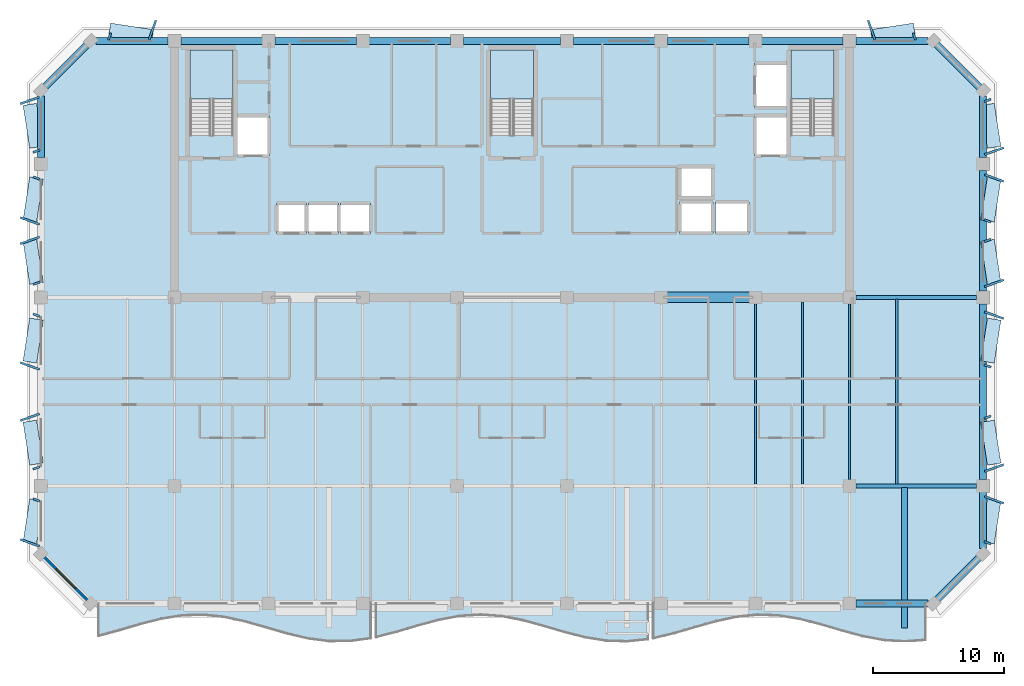
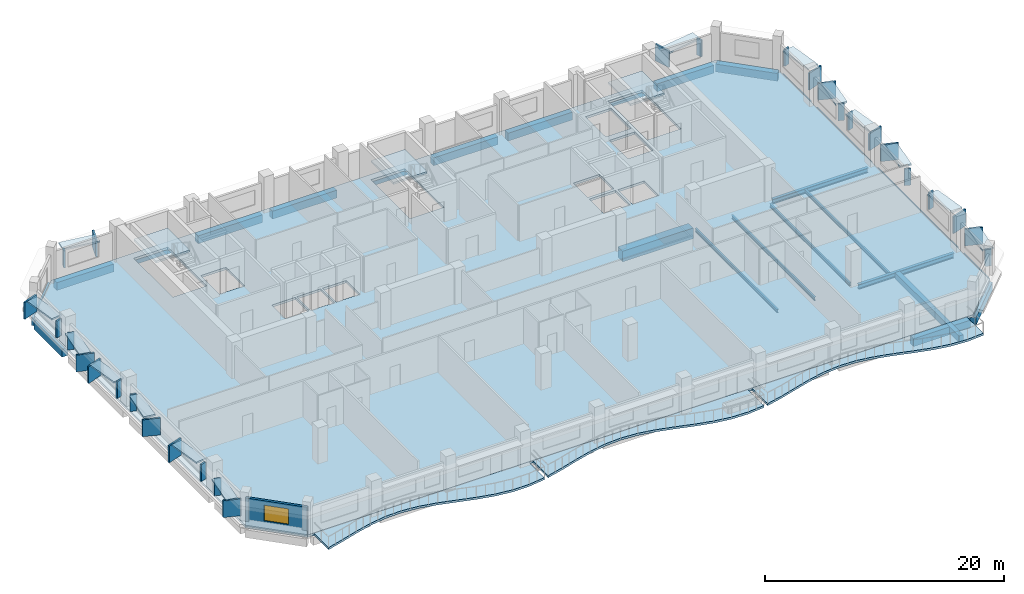
# One storey, part 2 of 10: 42 plates, 26 beams, 7 slabs, 1 wall, 1 window, 1 opening, 3 elements without a shape of their own.
"""IFC4 building model written with IfcOpenShell, lengths in metres."""

from ifc_helpers import new_model, si_unit, direction, frame, frame_2d, origin, origin_2d, place, context, subcontext, project, spatial, polyline, rectangle, i_section, outline, extrude, material, layer, layer_set, material_profile, profile_set, type_object, element, fill, aggregate, save


model = new_model("IFC4")

# Units and contexts
model_context = context("Model", 3, precision=1e-05, world=origin(), true_north=direction((0.0, 1.0)))
body_context = subcontext(model_context, "Body", "Model", "MODEL_VIEW")
ifc_project = project(units=[si_unit("LENGTHUNIT", "METRE"), si_unit("AREAUNIT", "SQUARE_METRE"), si_unit("VOLUMEUNIT", "CUBIC_METRE"), si_unit("PLANEANGLEUNIT", "RADIAN"), si_unit("MASSUNIT", "GRAM", prefix="KILO")], contexts=[model_context])

# Site, building, storey
site_placement = place(None, origin())
site = spatial("IfcSite", under=ifc_project, at=site_placement, CompositionType="ELEMENT")
building_placement = place(site_placement, origin())
building = spatial("IfcBuilding", under=site, at=building_placement, Name="Kaelvorn Grand Hotel", CompositionType="ELEMENT")
storey_placement = place(building_placement, frame((0.0, 0.0, 264.699951171875)))
storey = spatial("IfcBuildingStorey", under=building, at=storey_placement, Name="L65", CompositionType="ELEMENT", Elevation=264.699951171875)

# Beams
ifc_material_1 = material(Name="Steel S355", Category="steel")
ifc_material_profile_1 = material_profile(ifc_material_1, i_section(OverallWidth=0.300048828125, OverallDepth=0.5, WebThickness=0.014404296875, FlangeThickness=0.028076171875, FilletRadius=0.027099609375, at=origin_2d()), Name="HEB 500")
ifc_profile_set_1 = profile_set([ifc_material_profile_1], Name="Steel S355")
beam_type_1 = type_object("IfcBeamType", Name="BM-G-HEB500-S355", PredefinedType="BEAM", material=ifc_profile_set_1)
for number, where, z_axis, x_axis, name in (
    (1, (68.284912109375, 15.0, -0.489990234375), (1.0, 0.0, 0.0), (0.0, 1.0, 0.0), "L65 Primary Spine Steel Girder G-15 05"),
    (2, (68.284912109375, 29.39990234375, -0.489990234375), (1.0, 0.0, 0.0), (0.0, 1.0, 0.0), "L65 East Core Wing Steel Girder G-29E 01"),
):
    element("IfcBeam", number, at=place(storey_placement, frame(where, z_axis=z_axis, x_axis=x_axis)), inside=storey, type_object=beam_type_1, Name=name, PredefinedType="BEAM", context=body_context, shape_type="SweptSolid", body=[
        extrude(i_section(OverallWidth=0.300048828125, OverallDepth=0.5, WebThickness=0.014404296875, FlangeThickness=0.028076171875, FilletRadius=0.027099609375, at=origin_2d()), origin(), (0.0, 0.0, 1.0), 9.22998046875),
    ])
ifc_material_profile_2 = material_profile(ifc_material_1, i_section(OverallWidth=0.169921875, OverallDepth=0.360107421875, WebThickness=0.008056640625, FlangeThickness=0.0126953125, FilletRadius=0.01806640625, at=origin_2d()), Name="IPE 360")
ifc_profile_set_2 = profile_set([ifc_material_profile_2], Name="Steel S355")
beam_type_2 = type_object("IfcBeamType", Name="BM-J-IPE360-S355", PredefinedType="JOIST", material=ifc_profile_set_2)
beam_1_placement = place(storey_placement, frame((60.60009765625, 15.135009765625, -0.419921875), z_axis=(0.0, 1.0, 0.0), x_axis=(-1.0, 0.0, 0.0)))
element("IfcBeam", 3, at=beam_1_placement, inside=storey, type_object=beam_type_2, Name="L65 Composite Floor Joist JM-17", PredefinedType="JOIST", context=body_context, shape_type="SweptSolid", body=[
    extrude(i_section(OverallWidth=0.169921875, OverallDepth=0.360107421875, WebThickness=0.008056640625, FlangeThickness=0.0126953125, FilletRadius=0.01806640625, at=origin_2d()), origin(), (0.0, 0.0, 1.0), 13.780029296875),
])
beam_2_placement = place(storey_placement, frame((64.199951171875, 15.135009765625, -0.419921875), z_axis=(0.0, 1.0, 0.0), x_axis=(-1.0, 0.0, 0.0)))
element("IfcBeam", 4, at=beam_2_placement, inside=storey, type_object=beam_type_2, Name="L65 Composite Floor Joist JM-18", PredefinedType="JOIST", context=body_context, shape_type="SweptSolid", body=[
    extrude(i_section(OverallWidth=0.169921875, OverallDepth=0.360107421875, WebThickness=0.008056640625, FlangeThickness=0.0126953125, FilletRadius=0.01806640625, at=origin_2d()), origin(), (0.0, 0.0, 1.0), 13.925048828125),
])
beam_3_placement = place(storey_placement, frame((67.800048828125, 15.485107421875, -0.419921875), z_axis=(0.0, 1.0, 0.0), x_axis=(-1.0, 0.0, 0.0)))
element("IfcBeam", 5, at=beam_3_placement, inside=storey, type_object=beam_type_2, Name="L65 Composite Floor Joist JM-19", PredefinedType="JOIST", context=body_context, shape_type="SweptSolid", body=[
    extrude(i_section(OverallWidth=0.169921875, OverallDepth=0.360107421875, WebThickness=0.008056640625, FlangeThickness=0.0126953125, FilletRadius=0.01806640625, at=origin_2d()), origin(), (0.0, 0.0, 1.0), 13.429931640625),
])
beam_4_placement = place(storey_placement, frame((71.39990234375, 15.135009765625, -0.419921875), z_axis=(0.0, 1.0, 0.0), x_axis=(-1.0, 0.0, 0.0)))
element("IfcBeam", 6, at=beam_4_placement, inside=storey, type_object=beam_type_2, Name="L65 Composite Floor Joist JM-20", PredefinedType="JOIST", context=body_context, shape_type="SweptSolid", body=[
    extrude(i_section(OverallWidth=0.169921875, OverallDepth=0.360107421875, WebThickness=0.008056640625, FlangeThickness=0.0126953125, FilletRadius=0.01806640625, at=origin_2d()), origin(), (0.0, 0.0, 1.0), 14.1298828125),
])
ifc_material_2 = material(Name="Concrete C60/75", Category="concrete")
ifc_material_profile_3 = material_profile(ifc_material_2, rectangle(XDim=0.800048828125, YDim=1.10009765625, at=origin_2d()), Name="RC LINTEL 800x1100")
ifc_profile_set_3 = profile_set([ifc_material_profile_3], Name="Concrete C60/75")
beam_type_3 = type_object("IfcBeamType", Name="BM-LIN-800x1100-C60", PredefinedType="LINTEL", material=ifc_profile_set_3)
beam_5_placement = place(storey_placement, frame((53.580078125, 29.39990234375, -0.7900390625), z_axis=(1.0, 0.0, 0.0), x_axis=(0.0, 1.0, 0.0)))
element("IfcBeam", 7, at=beam_5_placement, inside=storey, type_object=beam_type_3, Name="L65 Rear-Core Coupling Lintel Beam CB1-03", PredefinedType="LINTEL", context=body_context, shape_type="SweptSolid", body=[
    extrude(rectangle(XDim=0.800048828125, YDim=1.10009765625, at=origin_2d()), origin(), (0.0, 0.0, 1.0), 6.83984375),
])
ifc_material_3 = material(Name="Concrete C40/50", Category="concrete")
ifc_material_profile_4 = material_profile(ifc_material_3, rectangle(XDim=0.449951171875, YDim=0.64990234375, at=origin_2d()), Name="RC RIB 450x650")
ifc_profile_set_4 = profile_set([ifc_material_profile_4], Name="Concrete C40/50")
beam_type_4 = type_object("IfcBeamType", Name="BM-RIB-450x650-C40", PredefinedType="SPANDREL", material=ifc_profile_set_4)
beam_6_placement = place(storey_placement, frame((72.0, 4.14990234375, -0.544921875), z_axis=(0.0, 1.0, 0.0), x_axis=(-1.0, 0.0, 0.0)))
element("IfcBeam", 8, at=beam_6_placement, inside=storey, type_object=beam_type_4, Name="L65 Cantilevered Balcony Back-Span Rib RB1-3", PredefinedType="SPANDREL", context=body_context, shape_type="SweptSolid", body=[
    extrude(rectangle(XDim=0.449951171875, YDim=0.64990234375, at=origin_2d()), origin(), (0.0, 0.0, 1.0), 10.715087890625),
])
ifc_material_4 = material(Name="Concrete C50/60", Category="concrete")
ifc_material_profile_5 = material_profile(ifc_material_4, rectangle(XDim=0.550048828125, YDim=0.800048828125, at=origin_2d()), Name="RC SPANDREL 550x800")
ifc_profile_set_5 = profile_set([ifc_material_profile_5], Name="Concrete C50/60")
beam_type_5 = type_object("IfcBeamType", Name="BM-SP-550x800-C50", PredefinedType="SPANDREL", material=ifc_profile_set_5)
for number, where, z_axis, x_axis, name in (
    (9, (68.284912109375, 6.0, -0.639892578125), (1.0, 0.0, 0.0), (0.0, 1.0, 0.0), "L65 South Perimeter Spandrel 09"),
    (10, (10.205078125, 49.0, -0.639892578125), (1.0, 0.0, 0.0), (0.0, 1.0, 0.0), "L65 North Perimeter Spandrel 01"),
):
    element("IfcBeam", number, at=place(storey_placement, frame(where, z_axis=z_axis, x_axis=x_axis)), inside=storey, type_object=beam_type_5, Name=name, PredefinedType="SPANDREL", context=body_context, shape_type="SweptSolid", body=[
        extrude(rectangle(XDim=0.550048828125, YDim=0.800048828125, at=origin_2d()), origin(), (0.0, 0.0, 1.0), 5.510009765625),
    ])
for number, where, z_axis, x_axis, name in (
    (11, (16.68505859375, 49.0, -0.639892578125), (1.0, 0.0, 0.0), (0.0, 1.0, 0.0), "L65 North Perimeter Spandrel 02"),
    (12, (23.885009765625, 49.0, -0.639892578125), (1.0, 0.0, 0.0), (0.0, 1.0, 0.0), "L65 North Perimeter Spandrel 03"),
    (13, (31.0849609375, 49.0, -0.639892578125), (1.0, 0.0, 0.0), (0.0, 1.0, 0.0), "L65 North Perimeter Spandrel 04"),
):
    element("IfcBeam", number, at=place(storey_placement, frame(where, z_axis=z_axis, x_axis=x_axis)), inside=storey, type_object=beam_type_5, Name=name, PredefinedType="SPANDREL", context=body_context, shape_type="SweptSolid", body=[
        extrude(rectangle(XDim=0.550048828125, YDim=0.800048828125, at=origin_2d()), origin(), (0.0, 0.0, 1.0), 6.22998046875),
    ])
beam_7_placement = place(storey_placement, frame((38.284912109375, 49.0, -0.639892578125), z_axis=(1.0, 0.0, 0.0), x_axis=(0.0, 1.0, 0.0)))
element("IfcBeam", 14, at=beam_7_placement, inside=storey, type_object=beam_type_5, Name="L65 North Perimeter Spandrel 05", PredefinedType="SPANDREL", context=body_context, shape_type="SweptSolid", body=[
    extrude(rectangle(XDim=0.550048828125, YDim=0.800048828125, at=origin_2d()), origin(), (0.0, 0.0, 1.0), 7.43017578125),
])
for number, where, z_axis, x_axis, name in (
    (15, (46.68505859375, 49.0, -0.639892578125), (1.0, 0.0, 0.0), (0.0, 1.0, 0.0), "L65 North Perimeter Spandrel 06"),
    (16, (53.885009765625, 49.0, -0.639892578125), (1.0, 0.0, 0.0), (0.0, 1.0, 0.0), "L65 North Perimeter Spandrel 07"),
    (17, (61.0849609375, 49.0, -0.639892578125), (1.0, 0.0, 0.0), (0.0, 1.0, 0.0), "L65 North Perimeter Spandrel 08"),
):
    element("IfcBeam", number, at=place(storey_placement, frame(where, z_axis=z_axis, x_axis=x_axis)), inside=storey, type_object=beam_type_5, Name=name, PredefinedType="SPANDREL", context=body_context, shape_type="SweptSolid", body=[
        extrude(rectangle(XDim=0.550048828125, YDim=0.800048828125, at=origin_2d()), origin(), (0.0, 0.0, 1.0), 6.22998046875),
    ])
beam_8_placement = place(storey_placement, frame((68.284912109375, 49.0, -0.639892578125), z_axis=(1.0, 0.0, 0.0), x_axis=(0.0, 1.0, 0.0)))
element("IfcBeam", 18, at=beam_8_placement, inside=storey, type_object=beam_type_5, Name="L65 North Perimeter Spandrel 09", PredefinedType="SPANDREL", context=body_context, shape_type="SweptSolid", body=[
    extrude(rectangle(XDim=0.550048828125, YDim=0.800048828125, at=origin_2d()), origin(), (0.0, 0.0, 1.0), 5.510009765625),
])
beam_9_placement = place(storey_placement, frame((6.0, 40.0849609375, -0.639892578125), z_axis=(0.0, 1.0, 0.0), x_axis=(-1.0, 0.0, 0.0)))
element("IfcBeam", 19, at=beam_9_placement, inside=storey, type_object=beam_type_5, Name="L65 West Perimeter Spandrel 04", PredefinedType="SPANDREL", context=body_context, shape_type="SweptSolid", body=[
    extrude(rectangle(XDim=0.550048828125, YDim=0.800048828125, at=origin_2d()), origin(), (0.0, 0.0, 1.0), 4.7099609375),
])
beam_10_placement = place(storey_placement, frame((78.0, 10.205078125, -0.639892578125), z_axis=(0.0, 1.0, 0.0), x_axis=(-1.0, 0.0, 0.0)))
element("IfcBeam", 20, at=beam_10_placement, inside=storey, type_object=beam_type_5, Name="L65 East Perimeter Spandrel 01", PredefinedType="SPANDREL", context=body_context, shape_type="SweptSolid", body=[
    extrude(rectangle(XDim=0.550048828125, YDim=0.800048828125, at=origin_2d()), origin(), (0.0, 0.0, 1.0), 4.309814453125),
])
beam_11_placement = place(storey_placement, frame((78.0, 15.485107421875, -0.639892578125), z_axis=(0.0, 1.0, 0.0), x_axis=(-1.0, 0.0, 0.0)))
element("IfcBeam", 21, at=beam_11_placement, inside=storey, type_object=beam_type_5, Name="L65 East Perimeter Spandrel 02", PredefinedType="SPANDREL", context=body_context, shape_type="SweptSolid", body=[
    extrude(rectangle(XDim=0.550048828125, YDim=0.800048828125, at=origin_2d()), origin(), (0.0, 0.0, 1.0), 13.429931640625),
])
beam_12_placement = place(storey_placement, frame((78.0, 29.885009765625, -0.639892578125), z_axis=(0.0, 1.0, 0.0), x_axis=(-1.0, 0.0, 0.0)))
element("IfcBeam", 22, at=beam_12_placement, inside=storey, type_object=beam_type_5, Name="L65 East Perimeter Spandrel 03", PredefinedType="SPANDREL", context=body_context, shape_type="SweptSolid", body=[
    extrude(rectangle(XDim=0.550048828125, YDim=0.800048828125, at=origin_2d()), origin(), (0.0, 0.0, 1.0), 9.22998046875),
])
beam_13_placement = place(storey_placement, frame((78.0, 40.0849609375, -0.639892578125), z_axis=(0.0, 1.0, 0.0), x_axis=(-1.0, 0.0, 0.0)))
element("IfcBeam", 23, at=beam_13_placement, inside=storey, type_object=beam_type_5, Name="L65 East Perimeter Spandrel 04", PredefinedType="SPANDREL", context=body_context, shape_type="SweptSolid", body=[
    extrude(rectangle(XDim=0.550048828125, YDim=0.800048828125, at=origin_2d()), origin(), (0.0, 0.0, 1.0), 4.7099609375),
])
for number, where, z_axis, x_axis, name in (
    (24, (74.199951171875, 6.0, -0.639892578125), (0.707106781187, 0.707106781187, 0.0), (-0.707106781187, 0.707106781187, 0.0), "L65 Chamfer Spandrel Beam 1"),
    (25, (78.0, 45.199951171875, -0.639892578125), (-0.707106781187, 0.707106781187, 0.0), (-0.707106781187, -0.707106781187, 0.0), "L65 Chamfer Spandrel Beam 2"),
    (26, (9.800048828125, 49.0, -0.639892578125), (-0.707106781187, -0.707106781187, 0.0), (0.707106781187, -0.707106781187, 0.0), "L65 Chamfer Spandrel Beam 3"),
):
    element("IfcBeam", number, at=place(storey_placement, frame(where, z_axis=z_axis, x_axis=x_axis)), inside=storey, type_object=beam_type_5, Name=name, PredefinedType="SPANDREL", context=body_context, shape_type="SweptSolid", body=[
        extrude(rectangle(XDim=0.550048828125, YDim=0.800048828125, at=origin_2d()), origin(), (0.0, 0.0, 1.0), 5.3740234375),
    ])

# Plates
ifc_material_5 = material(Name="Precast concrete C45/55", Category="concrete")
ifc_layer_1 = layer(ifc_material_5, 0.159912109375)
ifc_layer_set_1 = layer_set([ifc_layer_1], Name="Precast concrete C45/55")
plate_type_1 = type_object("IfcPlateType", Name="PL-FRAME-DEEP-1550", PredefinedType="USERDEFINED", material=ifc_layer_set_1)
for number, where, z_axis, x_axis, name in (
    (27, (78.844970703125, 13.925048828125, 0.740234375), (0.0, 0.0, 1.0), (0.333806859234, 0.942641491092, 0.0), "L65 Tilted Precast Window Frame Fin R-E01"),
    (28, (78.844970703125, 16.360107421875, 0.81494140625), (0.0, 0.0, 1.0), (-0.333806859234, 0.942641491092, 0.0), "L65 Tilted Precast Window Frame Fin L-E02"),
    (29, (78.844970703125, 28.0400390625, 0.81494140625), (0.0, 0.0, 1.0), (0.333806859234, 0.942641491092, 0.0), "L65 Tilted Precast Window Frame Fin R-E03"),
    (30, (78.844970703125, 30.47509765625, 0.740234375), (0.0, 0.0, 1.0), (-0.333806859234, 0.942641491092, 0.0), "L65 Tilted Precast Window Frame Fin L-E04"),
    (31, (78.844970703125, 38.52490234375, 0.740234375), (0.0, 0.0, 1.0), (0.333806859234, 0.942641491092, 0.0), "L65 Tilted Precast Window Frame Fin R-E05"),
    (32, (78.844970703125, 40.574951171875, 0.81494140625), (0.0, 0.0, 1.0), (-0.333806859234, 0.942641491092, 0.0), "L65 Tilted Precast Window Frame Fin L-E06"),
    (33, (5.155029296875, 10.64501953125, 0.740234375), (0.0, 0.0, 1.0), (0.333806859234, 0.942641491092, 0.0), "L65 Tilted Precast Window Frame Fin L-W01"),
    (34, (5.155029296875, 20.239990234375, 0.81494140625), (0.0, 0.0, 1.0), (-0.333806859234, 0.942641491092, 0.0), "L65 Tilted Precast Window Frame Fin R-W02"),
    (35, (5.155029296875, 24.159912109375, 0.81494140625), (0.0, 0.0, 1.0), (0.333806859234, 0.942641491092, 0.0), "L65 Tilted Precast Window Frame Fin L-W03"),
    (36, (5.155029296875, 33.7548828125, 0.740234375), (0.0, 0.0, 1.0), (-0.333806859234, 0.942641491092, 0.0), "L65 Tilted Precast Window Frame Fin R-W04"),
    (37, (5.155029296875, 35.2451171875, 0.740234375), (0.0, 0.0, 1.0), (0.333806859234, 0.942641491092, 0.0), "L65 Tilted Precast Window Frame Fin L-W05"),
    (38, (5.155029296875, 44.455078125, 0.81494140625), (0.0, 0.0, 1.0), (-0.333806859234, 0.942641491092, 0.0), "L65 Tilted Precast Window Frame Fin R-W06"),
    (39, (14.52490234375, 49.844970703125, 0.740234375), (0.0, 0.0, 1.0), (0.942641491092, -0.333806859234, 0.0), "L65 Tilted Precast Window Frame Fin R-N01"),
    (40, (69.47509765625, 49.844970703125, 0.740234375), (0.0, 0.0, 1.0), (0.942641491092, 0.333806859234, 0.0), "L65 Tilted Precast Window Frame Fin L-N02"),
):
    element("IfcPlate", number, at=place(storey_placement, frame(where, z_axis=z_axis, x_axis=x_axis)), inside=storey, type_object=plate_type_1, Name=name, ObjectType="FLANGE_PLATE", PredefinedType="USERDEFINED", context=body_context, shape_type="SweptSolid", body=[
        extrude(rectangle(XDim=0.159912109375, YDim=1.550048828125, at=origin_2d()), origin(), (0.0, 0.0, 1.0), 1.719970703125),
    ])
ifc_layer_2 = layer(ifc_material_5, 0.159912109375)
ifc_layer_set_2 = layer_set([ifc_layer_2], Name="Precast concrete C45/55")
plate_type_2 = type_object("IfcPlateType", Name="PL-FRAME-HEAD-1050", PredefinedType="USERDEFINED", material=ifc_layer_set_2)
for number, where, z_axis, x_axis, name in (
    (41, (78.594970703125, 12.284912109375, 2.35009765625), (0.0, 0.0, 1.0), (0.152554625759, 0.988295040036, 0.0), "L65 Precast Window Frame Head Hood H-E01"),
    (42, (78.594970703125, 18.300048828125, 2.5), (0.0, 0.0, 1.0), (-0.152554625759, 0.988295040036, 0.0), "L65 Precast Window Frame Head Hood H-E02"),
    (43, (78.594970703125, 26.10009765625, 2.5), (0.0, 0.0, 1.0), (0.152554625759, 0.988295040036, 0.0), "L65 Precast Window Frame Head Hood H-E03"),
    (44, (78.594970703125, 32.114990234375, 2.35009765625), (0.0, 0.0, 1.0), (-0.152554625759, 0.988295040036, 0.0), "L65 Precast Window Frame Head Hood H-E04"),
    (45, (78.594970703125, 36.885009765625, 2.35009765625), (0.0, 0.0, 1.0), (0.152554625759, 0.988295040036, 0.0), "L65 Precast Window Frame Head Hood H-E05"),
    (46, (78.594970703125, 42.514892578125, 2.5), (0.0, 0.0, 1.0), (-0.152554625759, 0.988295040036, 0.0), "L65 Precast Window Frame Head Hood H-E06"),
    (47, (5.405029296875, 12.284912109375, 2.35009765625), (0.0, 0.0, 1.0), (0.152554625759, 0.988295040036, 0.0), "L65 Precast Window Frame Head Hood H-W01"),
    (48, (5.405029296875, 18.300048828125, 2.5), (0.0, 0.0, 1.0), (-0.152554625759, 0.988295040036, 0.0), "L65 Precast Window Frame Head Hood H-W02"),
    (49, (5.405029296875, 26.10009765625, 2.5), (0.0, 0.0, 1.0), (0.152554625759, 0.988295040036, 0.0), "L65 Precast Window Frame Head Hood H-W03"),
    (50, (5.405029296875, 32.114990234375, 2.35009765625), (0.0, 0.0, 1.0), (-0.152554625759, 0.988295040036, 0.0), "L65 Precast Window Frame Head Hood H-W04"),
    (51, (5.405029296875, 36.885009765625, 2.35009765625), (0.0, 0.0, 1.0), (0.152554625759, 0.988295040036, 0.0), "L65 Precast Window Frame Head Hood H-W05"),
    (52, (5.405029296875, 42.514892578125, 2.5), (0.0, 0.0, 1.0), (-0.152554625759, 0.988295040036, 0.0), "L65 Precast Window Frame Head Hood H-W06"),
    (53, (12.885009765625, 49.594970703125, 2.35009765625), (0.0, 0.0, 1.0), (0.988295040036, -0.152554625759, 0.0), "L65 Precast Window Frame Head Hood H-N01"),
    (54, (71.114990234375, 49.594970703125, 2.35009765625), (0.0, 0.0, 1.0), (0.988295040036, 0.152554625759, 0.0), "L65 Precast Window Frame Head Hood H-N02"),
):
    element("IfcPlate", number, at=place(storey_placement, frame(where, z_axis=z_axis, x_axis=x_axis)), inside=storey, type_object=plate_type_2, Name=name, ObjectType="FLANGE_PLATE", PredefinedType="USERDEFINED", context=body_context, shape_type="SweptSolid", body=[
        extrude(rectangle(XDim=3.320068359375, YDim=1.050048828125, at=origin_2d()), origin(), (0.0, 0.0, 1.0), 0.159912109375),
    ])
ifc_layer_3 = layer(ifc_material_5, 0.159912109375)
ifc_layer_set_3 = layer_set([ifc_layer_3], Name="Precast concrete C45/55")
plate_type_3 = type_object("IfcPlateType", Name="PL-FRAME-SHAL-550", PredefinedType="USERDEFINED", material=ifc_layer_set_3)
for number, where, z_axis, x_axis, name in (
    (55, (78.344970703125, 10.64501953125, 0.740234375), (0.0, 0.0, 1.0), (0.333806859234, 0.942641491092, 0.0), "L65 Tilted Precast Window Frame Fin L-E01"),
    (56, (78.344970703125, 20.239990234375, 0.81494140625), (0.0, 0.0, 1.0), (-0.333806859234, 0.942641491092, 0.0), "L65 Tilted Precast Window Frame Fin R-E02"),
    (57, (78.344970703125, 24.159912109375, 0.81494140625), (0.0, 0.0, 1.0), (0.333806859234, 0.942641491092, 0.0), "L65 Tilted Precast Window Frame Fin L-E03"),
    (58, (78.344970703125, 33.7548828125, 0.740234375), (0.0, 0.0, 1.0), (-0.333806859234, 0.942641491092, 0.0), "L65 Tilted Precast Window Frame Fin R-E04"),
    (59, (78.344970703125, 35.2451171875, 0.740234375), (0.0, 0.0, 1.0), (0.333806859234, 0.942641491092, 0.0), "L65 Tilted Precast Window Frame Fin L-E05"),
    (60, (78.344970703125, 44.455078125, 0.81494140625), (0.0, 0.0, 1.0), (-0.333806859234, 0.942641491092, 0.0), "L65 Tilted Precast Window Frame Fin R-E06"),
    (61, (5.655029296875, 13.925048828125, 0.740234375), (0.0, 0.0, 1.0), (0.333806859234, 0.942641491092, 0.0), "L65 Tilted Precast Window Frame Fin R-W01"),
    (62, (5.655029296875, 16.360107421875, 0.81494140625), (0.0, 0.0, 1.0), (-0.333806859234, 0.942641491092, 0.0), "L65 Tilted Precast Window Frame Fin L-W02"),
    (63, (5.655029296875, 28.0400390625, 0.81494140625), (0.0, 0.0, 1.0), (0.333806859234, 0.942641491092, 0.0), "L65 Tilted Precast Window Frame Fin R-W03"),
    (64, (5.655029296875, 30.47509765625, 0.740234375), (0.0, 0.0, 1.0), (-0.333806859234, 0.942641491092, 0.0), "L65 Tilted Precast Window Frame Fin L-W04"),
    (65, (5.655029296875, 38.52490234375, 0.740234375), (0.0, 0.0, 1.0), (0.333806859234, 0.942641491092, 0.0), "L65 Tilted Precast Window Frame Fin R-W05"),
    (66, (5.655029296875, 40.574951171875, 0.81494140625), (0.0, 0.0, 1.0), (-0.333806859234, 0.942641491092, 0.0), "L65 Tilted Precast Window Frame Fin L-W06"),
    (67, (11.2451171875, 49.344970703125, 0.740234375), (0.0, 0.0, 1.0), (0.942641491092, -0.333806859234, 0.0), "L65 Tilted Precast Window Frame Fin L-N01"),
    (68, (72.7548828125, 49.344970703125, 0.740234375), (0.0, 0.0, 1.0), (0.942641491092, 0.333806859234, 0.0), "L65 Tilted Precast Window Frame Fin R-N02"),
):
    element("IfcPlate", number, at=place(storey_placement, frame(where, z_axis=z_axis, x_axis=x_axis)), inside=storey, type_object=plate_type_3, Name=name, ObjectType="FLANGE_PLATE", PredefinedType="USERDEFINED", context=body_context, shape_type="SweptSolid", body=[
        extrude(rectangle(XDim=0.159912109375, YDim=0.550048828125, at=origin_2d()), origin(), (0.0, 0.0, 1.0), 1.719970703125),
    ])

# Slabs
ifc_layer_4 = layer(ifc_material_3, 0.219970703125)
ifc_layer_set_4 = layer_set([ifc_layer_4], Name="Concrete C40/50")
slab_type_1 = type_object("IfcSlabType", Name="SLB-BALC-220-C40", PredefinedType="FLOOR", material=ifc_layer_set_4)
slab_1_placement = place(storey_placement, frame((0.0, 0.0, -0.219970703125)))
element("IfcSlab", 69, at=slab_1_placement, inside=storey, type_object=slab_type_1, Name="L65 Scalloped Wave Balcony Slab 1", PredefinedType="FLOOR", context=body_context, shape_type="SweptSolid", body=[
    extrude(outline(polyline([(10.39990234375, 3.5224609375), (12.0, 3.958740234375), (13.60009765625, 4.430419921875), (15.199951171875, 4.8369140625), (16.800048828125, 5.09228515625), (18.39990234375, 5.1416015625), (20.0, 4.974853515625), (21.60009765625, 4.627197265625), (23.199951171875, 4.172607421875), (24.800048828125, 3.7080078125), (26.39990234375, 3.332275390625), (28.0, 3.125), (29.60009765625, 3.13037109375), (31.199951171875, 3.347412109375), (31.199951171875, 6.0), (10.39990234375, 6.0), (10.39990234375, 3.5224609375)])), origin(), (0.0, 0.0, 1.0), 0.219970703125),
])
slab_2_placement = place(storey_placement, frame((0.0, 0.0, -0.219970703125)))
element("IfcSlab", 70, at=slab_2_placement, inside=storey, type_object=slab_type_1, Name="L65 Scalloped Wave Balcony Slab 2", PredefinedType="FLOOR", context=body_context, shape_type="SweptSolid", body=[
    extrude(outline(polyline([(31.60009765625, 3.430419921875), (33.199951171875, 3.842529296875), (34.800048828125, 4.314697265625), (36.39990234375, 4.74658203125), (38.0, 5.046142578125), (39.60009765625, 5.14990234375), (41.199951171875, 5.03564453125), (42.800048828125, 4.7275390625), (44.39990234375, 4.291259765625), (46.0, 3.819580078125), (47.60009765625, 3.4130859375), (49.199951171875, 3.15771484375), (50.800048828125, 3.1083984375), (52.39990234375, 3.275146484375), (52.39990234375, 6.0), (31.60009765625, 6.0), (31.60009765625, 3.430419921875)])), origin(), (0.0, 0.0, 1.0), 0.219970703125),
])
slab_3_placement = place(storey_placement, frame((0.0, 0.0, -0.219970703125)))
element("IfcSlab", 71, at=slab_3_placement, inside=storey, type_object=slab_type_1, Name="L65 Scalloped Wave Balcony Slab 3", PredefinedType="FLOOR", context=body_context, shape_type="SweptSolid", body=[
    extrude(outline(polyline([(52.800048828125, 3.347412109375), (54.39990234375, 3.72998046875), (56.0, 4.196533203125), (57.60009765625, 4.647705078125), (59.199951171875, 4.98779296875), (60.800048828125, 5.144287109375), (62.39990234375, 5.083984375), (64.0, 4.819580078125), (65.60009765625, 4.407470703125), (67.199951171875, 3.935302734375), (68.800048828125, 3.50341796875), (70.39990234375, 3.203857421875), (72.0, 3.10009765625), (73.60009765625, 3.21435546875), (73.60009765625, 6.0), (52.800048828125, 6.0), (52.800048828125, 3.347412109375)])), origin(), (0.0, 0.0, 1.0), 0.219970703125),
])
ifc_layer_5 = layer(ifc_material_3, 0.239990234375)
ifc_layer_set_5 = layer_set([ifc_layer_5], Name="Concrete C40/50")
slab_type_2 = type_object("IfcSlabType", Name="SLB-FLR-240-C40", PredefinedType="FLOOR", material=ifc_layer_set_5)
slab_4_placement = place(storey_placement, frame((0.0, 0.0, -0.239990234375)))
element("IfcSlab", 72, at=slab_4_placement, inside=storey, type_object=slab_type_2, Name="L65 Indoor Suspended Floor Slab", PredefinedType="FLOOR", context=body_context, shape_type="SweptSolid", body=[
    extrude(outline(polyline([(9.800048828125, 6.0), (74.199951171875, 6.0), (78.0, 9.800048828125), (78.0, 45.199951171875), (74.199951171875, 49.0), (9.800048828125, 49.0), (6.0, 45.199951171875), (6.0, 9.800048828125), (9.800048828125, 6.0)]), holes=[polyline([(17.39990234375, 41.760009765625), (17.39990234375, 48.300048828125), (20.679931640625, 48.300048828125), (20.679931640625, 41.760009765625), (17.39990234375, 41.760009765625)]), polyline([(40.360107421875, 41.760009765625), (40.360107421875, 48.300048828125), (43.639892578125, 48.300048828125), (43.639892578125, 41.760009765625), (40.360107421875, 41.760009765625)]), polyline([(63.320068359375, 41.760009765625), (63.320068359375, 48.300048828125), (66.60009765625, 48.300048828125), (66.60009765625, 41.760009765625), (63.320068359375, 41.760009765625)]), polyline([(24.0, 34.300048828125), (24.0, 36.60009765625), (26.300048828125, 36.60009765625), (26.300048828125, 34.300048828125), (24.0, 34.300048828125)]), polyline([(26.449951171875, 34.300048828125), (26.449951171875, 36.60009765625), (28.75, 36.60009765625), (28.75, 34.300048828125), (26.449951171875, 34.300048828125)]), polyline([(28.89990234375, 34.300048828125), (28.89990234375, 36.60009765625), (31.199951171875, 36.60009765625), (31.199951171875, 34.300048828125), (28.89990234375, 34.300048828125)]), polyline([(54.800048828125, 34.300048828125), (54.800048828125, 36.699951171875), (57.35009765625, 36.699951171875), (57.35009765625, 34.300048828125), (54.800048828125, 34.300048828125)]), polyline([(57.550048828125, 34.300048828125), (57.550048828125, 36.699951171875), (60.10009765625, 36.699951171875), (60.10009765625, 34.300048828125), (57.550048828125, 34.300048828125)]), polyline([(54.800048828125, 37.0), (54.800048828125, 39.39990234375), (57.35009765625, 39.39990234375), (57.35009765625, 37.0), (54.800048828125, 37.0)]), polyline([(21.0, 40.199951171875), (21.0, 43.300048828125), (23.449951171875, 43.300048828125), (23.449951171875, 40.199951171875), (21.0, 40.199951171875)]), polyline([(60.550048828125, 40.199951171875), (60.550048828125, 43.300048828125), (63.0, 43.300048828125), (63.0, 40.199951171875), (60.550048828125, 40.199951171875)]), polyline([(60.550048828125, 43.89990234375), (60.550048828125, 47.300048828125), (63.0, 47.300048828125), (63.0, 43.89990234375), (60.550048828125, 43.89990234375)])]), origin(), (0.0, 0.0, 1.0), 0.239990234375),
])

# Stair, slab
stair_type = type_object("IfcStairType", Name="STR-DOG-1560-R09", PredefinedType="HALF_TURN_STAIR", material=ifc_material_3)
stair_1_placement = place(storey_placement, origin())
stair_1 = element("IfcStair", 73, at=stair_1_placement, inside=storey, type_object=stair_type, Name="L65 West Core Exit Stair ST1", PredefinedType="HALF_TURN_STAIR")
ifc_layer_6 = layer(ifc_material_3, 0.199951171875)
ifc_layer_set_6 = layer_set([ifc_layer_6], Name="Concrete C40/50")
slab_type_3 = type_object("IfcSlabType", Name="SLB-LAND-200-C40", PredefinedType="LANDING", material=ifc_layer_set_6)
slab_5_placement = place(storey_placement, frame((0.0, 0.0, 1.775146484375)))
slab_5 = element("IfcSlab", 74, at=slab_5_placement, type_object=slab_type_3, Name="ST1 landing 1", PredefinedType="LANDING", context=body_context, shape_type="SweptSolid", body=[
    extrude(outline(polyline([(20.679931640625, 44.56005859375), (20.679931640625, 48.300048828125), (17.39990234375, 48.300048828125), (17.39990234375, 44.56005859375), (20.679931640625, 44.56005859375)])), origin(), (0.0, 0.0, 1.0), 0.199951171875),
])
aggregate(stair_1, [slab_5])

stair_2_placement = place(storey_placement, origin())
stair_2 = element("IfcStair", 75, at=stair_2_placement, inside=storey, type_object=stair_type, Name="L65 Central Core Exit Stair ST2", PredefinedType="HALF_TURN_STAIR")
slab_6_placement = place(storey_placement, frame((0.0, 0.0, 1.775146484375)))
slab_6 = element("IfcSlab", 76, at=slab_6_placement, type_object=slab_type_3, Name="ST2 landing 1", PredefinedType="LANDING", context=body_context, shape_type="SweptSolid", body=[
    extrude(outline(polyline([(43.639892578125, 44.56005859375), (43.639892578125, 48.300048828125), (40.360107421875, 48.300048828125), (40.360107421875, 44.56005859375), (43.639892578125, 44.56005859375)])), origin(), (0.0, 0.0, 1.0), 0.199951171875),
])
aggregate(stair_2, [slab_6])

stair_3_placement = place(storey_placement, origin())
stair_3 = element("IfcStair", 77, at=stair_3_placement, inside=storey, type_object=stair_type, Name="L65 East Core Exit Stair ST3", PredefinedType="HALF_TURN_STAIR")
slab_7_placement = place(storey_placement, frame((0.0, 0.0, 1.775146484375)))
slab_7 = element("IfcSlab", 78, at=slab_7_placement, type_object=slab_type_3, Name="ST3 landing 1", PredefinedType="LANDING", context=body_context, shape_type="SweptSolid", body=[
    extrude(outline(polyline([(66.60009765625, 44.56005859375), (66.60009765625, 48.300048828125), (63.320068359375, 48.300048828125), (63.320068359375, 44.56005859375), (66.60009765625, 44.56005859375)])), origin(), (0.0, 0.0, 1.0), 0.199951171875),
])
aggregate(stair_3, [slab_7])

# Wall, opening, window
ifc_layer_7 = layer(ifc_material_3, 0.219970703125)
ifc_layer_set_7 = layer_set([ifc_layer_7], Name="Concrete C40/50")
wall_type = type_object("IfcWallType", Name="WL-EXT-220-C40", PredefinedType="SOLIDWALL", material=ifc_layer_set_7)
wall_placement = place(storey_placement, frame((6.0, 9.800048828125, 0.0), z_axis=(0.0, 0.0, 1.0), x_axis=(0.707106781187, -0.707106781187, 0.0)))
wall = element("IfcWall", 79, at=wall_placement, inside=storey, type_object=wall_type, Name="L65 Exterior Architectural Concrete Wall 08", PredefinedType="SOLIDWALL", context=body_context, shape_type="SweptSolid", body=[
    extrude(rectangle(XDim=5.3740234375, YDim=0.219970703125, at=frame_2d((2.68701171875, 0.0))), origin(), (0.0, 0.0, 1.0), 2.91015625),
])
opening_placement = place(wall_placement, frame((1.636962890625, 0.0, 0.85009765625)))
opening = element("IfcOpeningElement", 80, at=opening_placement, cuts=wall, Name="Opening W7", PredefinedType="OPENING", context=body_context, shape_type="SweptSolid", body=[
    extrude(rectangle(XDim=2.10009765625, YDim=1.60009765625, at=frame_2d((1.050048828125, 0.800048828125))), frame((0.0, 0.1201171875, 0.0), z_axis=(0.0, -1.0, 0.0), x_axis=(1.0, 0.0, 0.0)), (0.0, 0.0, 1.0), 0.239990234375),
])
ifc_material_6 = material(Name="Laminated Low-E Glass", Category="glass")
window_type = type_object("IfcWindowType", Name="WIN-CHM-2100x1600", PartitioningType="SINGLE_PANEL", PredefinedType="WINDOW", material=ifc_material_6)
window_placement = place(opening_placement, origin())
window = element("IfcWindow", 81, at=window_placement, inside=storey, type_object=window_type, Name="L65 Chamfered 45-Degree Corner Window SW", OverallHeight=1.60009765625, OverallWidth=2.10009765625, PartitioningType="SINGLE_PANEL", PredefinedType="WINDOW", context=body_context, shape_type="SweptSolid", body=[
    extrude(rectangle(XDim=2.10009765625, YDim=1.60009765625, at=frame_2d((1.050048828125, 0.800048828125))), frame((0.0, 0.030029296875, 0.0), z_axis=(0.0, -1.0, 0.0), x_axis=(1.0, 0.0, 0.0)), (0.0, 0.0, 1.0), 0.06005859375),
])
fill(opening, window)

save(model, "model.ifc")
